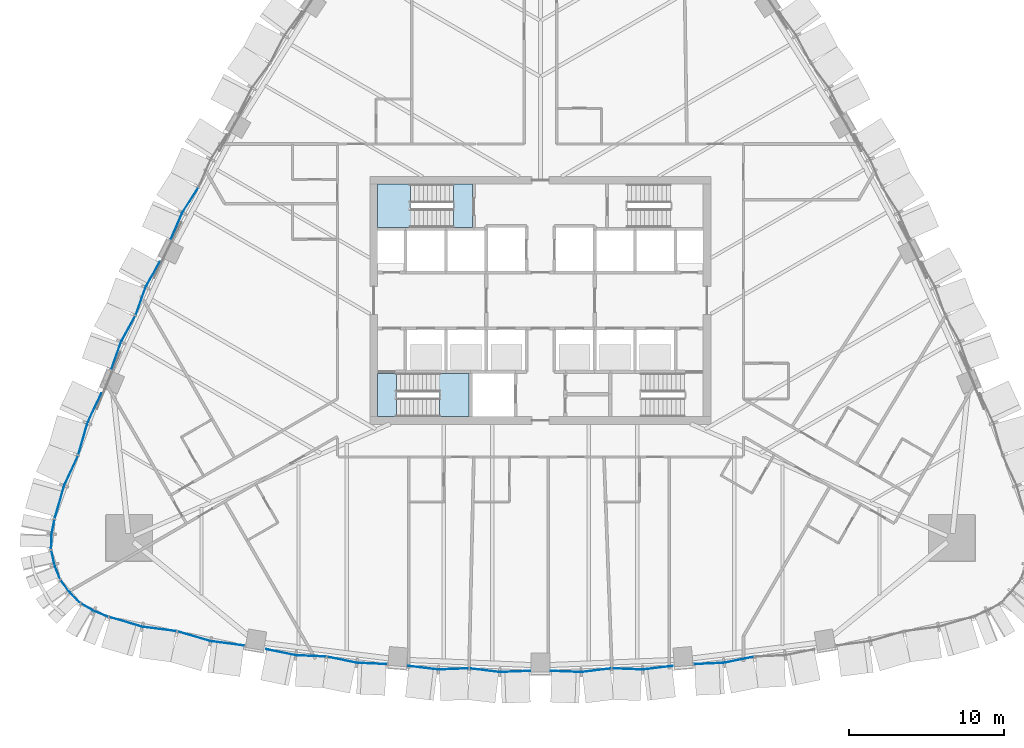
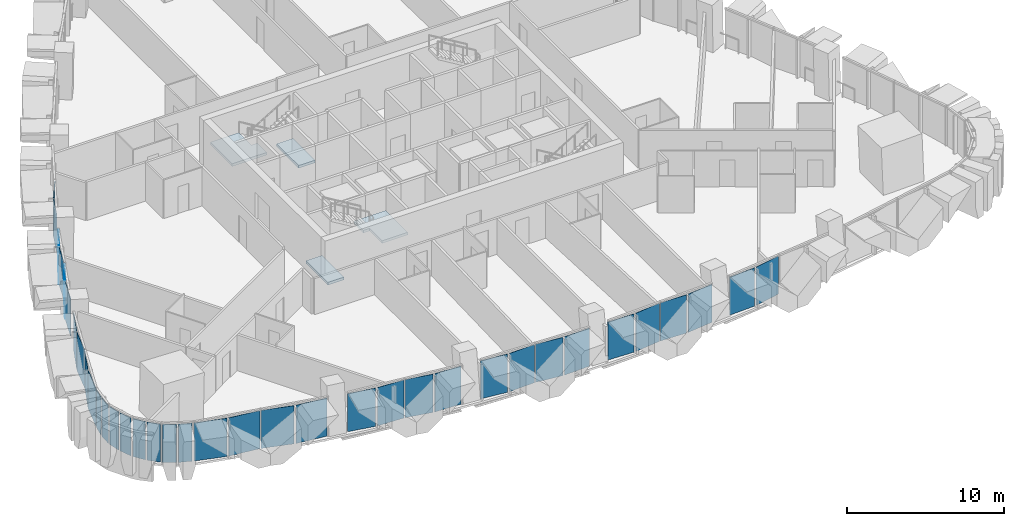
# One storey, part 9 of 23: 36 plates, 4 slabs, 14 elements without a shape of their own.
"""IFC4 building model written with IfcOpenShell, lengths in metres."""

from ifc_helpers import new_model, si_unit, direction, frame, origin, place, context, subcontext, project, spatial, polyline, outline, extrude, material, layer, layer_set, type_object, element, aggregate, save


model = new_model("IFC4")

# Units and contexts
model_context = context("Model", 3, precision=1e-05, world=origin(), true_north=direction((0.0, 1.0)))
body_context = subcontext(model_context, "Body", "Model", "MODEL_VIEW")
ifc_project = project(units=[si_unit("LENGTHUNIT", "METRE"), si_unit("AREAUNIT", "SQUARE_METRE"), si_unit("VOLUMEUNIT", "CUBIC_METRE"), si_unit("PLANEANGLEUNIT", "RADIAN"), si_unit("MASSUNIT", "GRAM", prefix="KILO")], contexts=[model_context])

# Site, building, storey
site_placement = place(None, origin())
site = spatial("IfcSite", under=ifc_project, at=site_placement, CompositionType="ELEMENT")
building_placement = place(site_placement, origin())
building = spatial("IfcBuilding", under=site, at=building_placement, Name="Sierra Prisma Convention Tower", CompositionType="ELEMENT")
storey_placement = place(building_placement, frame((0.0, 0.0, 70.199951171875)))
storey = spatial("IfcBuildingStorey", under=building, at=storey_placement, Name="L13", CompositionType="ELEMENT", Elevation=70.199951171875)

# Curtain wall, plates
ifc_material_1 = material(Name="Aluminium and glass curtain wall", Category="aluminium")
ifc_layer_1 = layer(ifc_material_1, 0.179931640625)
ifc_layer_set_1 = layer_set([ifc_layer_1], Name="CW-2 Faceted crystal curtain wall")
curtain_wall_type = type_object("IfcCurtainWallType", Name="CW-2 Faceted crystal curtain wall", PredefinedType="NOTDEFINED", material=ifc_layer_set_1)
curtain_wall_1_placement = place(storey_placement, origin())
curtain_wall_1 = element("IfcCurtainWall", 1, at=curtain_wall_1_placement, inside=storey, type_object=curtain_wall_type, Name="CW-2 S1 L13", PredefinedType="NOTDEFINED")
ifc_material_2 = material(Name="Tinted glass bronze-grey IGU", Category="glass")
ifc_layer_2 = layer(ifc_material_2, 0.028076171875)
ifc_layer_set_2 = layer_set([ifc_layer_2], Name="CW-2 crystal pane")
plate_type = type_object("IfcPlateType", Name="CW-2 crystal pane", PredefinedType="CURTAIN_PANEL", material=ifc_layer_set_2)
plate_1_placement = place(storey_placement, frame((-27.82275390625, -20.440185546875, 0.0), z_axis=(-0.282343851331, -0.959313269801, 0.0), x_axis=(0.959313269801, -0.282343851331, 0.0)))
plate_1 = element("IfcPlate", 2, at=plate_1_placement, type_object=plate_type, Name="CW-2 pane S1.1.1", PredefinedType="CURTAIN_PANEL", context=body_context, shape_type="SweptSolid", body=[
    extrude(outline(polyline([(0.0, 0.0), (2.1591372992583153, 0.0), (2.1591372992583153, 2.97998046875), (0.0, 2.97998046875), (0.0, 0.0)])), origin(), (0.0, 0.0, -1.0), 0.028076171875),
])
plate_2_placement = place(storey_placement, frame((-23.483642578125, -21.3544921875, 0.0), z_axis=(-0.12879291344, -0.991671510858, 0.0), x_axis=(-0.991671510858, 0.12879291344, 0.0)))
plate_2 = element("IfcPlate", 3, at=plate_2_placement, type_object=plate_type, Name="CW-2 pane S1.1.2", PredefinedType="CURTAIN_PANEL", context=body_context, shape_type="SweptSolid", body=[
    extrude(outline(polyline([(0.0, 0.0), (2.159095282869609, 0.0), (2.159095282869609, -2.97998046875), (0.0, -2.97998046875), (0.0, 0.0)])), origin(), (0.0, 0.0, -1.0), 0.028076171875),
])
plate_3_placement = place(storey_placement, frame((-23.4150390625, -21.368896484375, 0.0), z_axis=(-0.282374481095, -0.959304254356, 0.0), x_axis=(0.959304254356, -0.282374481095, 0.0)))
plate_3 = element("IfcPlate", 4, at=plate_3_placement, type_object=plate_type, Name="CW-2 pane S1.2.1", PredefinedType="CURTAIN_PANEL", context=body_context, shape_type="SweptSolid", body=[
    extrude(outline(polyline([(0.0, 0.0), (2.158903093017514, 0.0), (2.158903093017514, 2.97998046875), (0.0, 2.97998046875), (0.0, 0.0)])), origin(), (0.0, 0.0, -1.0), 0.028076171875),
])
plate_4_placement = place(storey_placement, frame((-19.075927734375, -22.283203125, 0.0), z_axis=(-0.12879291344, -0.991671510858, 0.0), x_axis=(-0.991671510858, 0.12879291344, 0.0)))
plate_4 = element("IfcPlate", 5, at=plate_4_placement, type_object=plate_type, Name="CW-2 pane S1.2.2", PredefinedType="CURTAIN_PANEL", context=body_context, shape_type="SweptSolid", body=[
    extrude(outline(polyline([(0.0, 0.0), (2.159095282869609, 0.0), (2.159095282869609, -2.97998046875), (0.0, -2.97998046875), (0.0, 0.0)])), origin(), (0.0, 0.0, -1.0), 0.028076171875),
])
aggregate(curtain_wall_1, [plate_1, plate_2, plate_3, plate_4])

curtain_wall_2_placement = place(storey_placement, origin())
curtain_wall_2 = element("IfcCurtainWall", 6, at=curtain_wall_2_placement, inside=storey, type_object=curtain_wall_type, Name="CW-2 S2 L13", PredefinedType="NOTDEFINED")
plate_5_placement = place(storey_placement, frame((-17.70849609375, -22.513671875, 0.0), z_axis=(-0.2004046758, -0.979713205952, 0.0), x_axis=(0.979713205952, -0.2004046758, 0.0)))
plate_5 = element("IfcPlate", 7, at=plate_5_placement, type_object=plate_type, Name="CW-2 pane S2.1.1", PredefinedType="CURTAIN_PANEL", context=body_context, shape_type="SweptSolid", body=[
    extrude(outline(polyline([(0.0, 0.0), (1.8931421122591445, 0.0), (1.8931421122591445, 2.97998046875), (0.0, 2.97998046875), (0.0, 0.0)])), origin(), (0.0, 0.0, -1.0), 0.028076171875),
])
plate_6_placement = place(storey_placement, frame((-13.833740234375, -22.993408203125, 0.0), z_axis=(-0.044617971648, -0.999004122417, 0.0), x_axis=(-0.999004122417, 0.044617971648, 0.0)))
plate_6 = element("IfcPlate", 8, at=plate_6_placement, type_object=plate_type, Name="CW-2 pane S2.1.2", PredefinedType="CURTAIN_PANEL", context=body_context, shape_type="SweptSolid", body=[
    extrude(outline(polyline([(0.0, 0.0), (1.8932428599985731, 0.0), (1.8932428599985731, -2.9799804687499996), (0.0, -2.9799804687499996), (0.0, 0.0)])), origin(), (0.0, 0.0, -1.0), 0.028076171875),
])
plate_7_placement = place(storey_placement, frame((-13.76416015625, -23.002197265625, 0.0), z_axis=(-0.2004046758, -0.979713205952, 0.0), x_axis=(0.979713205952, -0.2004046758, 0.0)))
plate_7 = element("IfcPlate", 9, at=plate_7_placement, type_object=plate_type, Name="CW-2 pane S2.2.1", PredefinedType="CURTAIN_PANEL", context=body_context, shape_type="SweptSolid", body=[
    extrude(outline(polyline([(0.0, 0.0), (1.8931421122591445, 0.0), (1.8931421122591445, 2.97998046875), (0.0, 2.97998046875), (0.0, 0.0)])), origin(), (0.0, 0.0, -1.0), 0.028076171875),
])
plate_8_placement = place(storey_placement, frame((-9.8896484375, -23.48193359375, 0.0), z_axis=(-0.044623720309, -0.999003865651, 0.0), x_axis=(-0.999003865651, 0.044623720309, 0.0)))
plate_8 = element("IfcPlate", 10, at=plate_8_placement, type_object=plate_type, Name="CW-2 pane S2.2.2", PredefinedType="CURTAIN_PANEL", context=body_context, shape_type="SweptSolid", body=[
    extrude(outline(polyline([(0.0, 0.0), (1.8929989625390904, 0.0), (1.8929989625390904, -2.9799804687500004), (0.0, -2.9799804687500004), (0.0, 0.0)])), origin(), (0.0, 0.0, -1.0), 0.028076171875),
])
aggregate(curtain_wall_2, [plate_5, plate_6, plate_7, plate_8])

curtain_wall_3_placement = place(storey_placement, origin())
curtain_wall_3 = element("IfcCurtainWall", 11, at=curtain_wall_3_placement, inside=storey, type_object=curtain_wall_type, Name="CW-2 S3 L13", PredefinedType="NOTDEFINED")
plate_9_placement = place(storey_placement, frame((-8.537353515625, -23.593994140625, 0.0), z_axis=(-0.119348728609, -0.992852396371, 0.0), x_axis=(0.992852396371, -0.119348728609, 0.0)))
plate_9 = element("IfcPlate", 12, at=plate_9_placement, type_object=plate_type, Name="CW-2 pane S3.1.1", PredefinedType="CURTAIN_PANEL", context=body_context, shape_type="SweptSolid", body=[
    extrude(outline(polyline([(0.0, 0.0), (1.8921867099700465, 0.0), (1.8921867099700465, 2.97998046875), (0.0, 2.97998046875), (0.0, 0.0)])), origin(), (0.0, 0.0, -1.0), 0.028076171875),
])
plate_10_placement = place(storey_placement, frame((-4.638427734375, -23.754150390625, 0.0), z_axis=(0.037417291299, -0.999299727965, 0.0), x_axis=(-0.999299727965, -0.037417291299, 0.0)))
plate_10 = element("IfcPlate", 13, at=plate_10_placement, type_object=plate_type, Name="CW-2 pane S3.1.2", PredefinedType="CURTAIN_PANEL", context=body_context, shape_type="SweptSolid", body=[
    extrude(outline(polyline([(0.0, 0.0), (1.8921941913010771, 0.0), (1.8921941913010771, -2.97998046875), (0.0, -2.97998046875), (0.0, 0.0)])), origin(), (0.0, 0.0, -1.0), 0.028076171875),
])
plate_11_placement = place(storey_placement, frame((-4.568359375, -23.757080078125, 0.0), z_axis=(-0.119221537876, -0.992867677441, 0.0), x_axis=(0.992867677441, -0.119221537876, 0.0)))
plate_11 = element("IfcPlate", 14, at=plate_11_placement, type_object=plate_type, Name="CW-2 pane S3.2.1", PredefinedType="CURTAIN_PANEL", context=body_context, shape_type="SweptSolid", body=[
    extrude(outline(polyline([(0.0, 0.0), (1.8921575876229442, 0.0), (1.8921575876229442, 2.9799804687500004), (0.0, 2.9799804687500004), (0.0, 0.0)])), origin(), (0.0, 0.0, -1.0), 0.028076171875),
])
plate_12_placement = place(storey_placement, frame((-0.66943359375, -23.9169921875, 0.0), z_axis=(0.037546134865, -0.999294895292, 0.0), x_axis=(-0.999294895292, -0.037546134865, 0.0)))
plate_12 = element("IfcPlate", 15, at=plate_12_placement, type_object=plate_type, Name="CW-2 pane S3.2.2", PredefinedType="CURTAIN_PANEL", context=body_context, shape_type="SweptSolid", body=[
    extrude(outline(polyline([(0.0, 0.0), (1.892203342109973, 0.0), (1.892203342109973, -2.97998046875), (0.0, -2.97998046875), (0.0, 0.0)])), origin(), (0.0, 0.0, -1.0), 0.028076171875),
])
aggregate(curtain_wall_3, [plate_9, plate_10, plate_11, plate_12])

curtain_wall_4_placement = place(storey_placement, origin())
curtain_wall_4 = element("IfcCurtainWall", 16, at=curtain_wall_4_placement, inside=storey, type_object=curtain_wall_type, Name="CW-2 S4 L13", PredefinedType="NOTDEFINED")
plate_13_placement = place(storey_placement, frame((0.66943359375, -23.9169921875, 0.0), z_axis=(-0.037546134865, -0.999294895292, 0.0), x_axis=(0.999294895292, -0.037546134865, 0.0)))
plate_13 = element("IfcPlate", 17, at=plate_13_placement, type_object=plate_type, Name="CW-2 pane S4.1.1", PredefinedType="CURTAIN_PANEL", context=body_context, shape_type="SweptSolid", body=[
    extrude(outline(polyline([(0.0, 0.0), (1.892203342109973, 0.0), (1.892203342109973, 2.97998046875), (0.0, 2.97998046875), (0.0, 0.0)])), origin(), (0.0, 0.0, -1.0), 0.028076171875),
])
plate_14_placement = place(storey_placement, frame((4.568359375, -23.757080078125, 0.0), z_axis=(0.119221537876, -0.992867677441, 0.0), x_axis=(-0.992867677441, -0.119221537876, 0.0)))
plate_14 = element("IfcPlate", 18, at=plate_14_placement, type_object=plate_type, Name="CW-2 pane S4.1.2", PredefinedType="CURTAIN_PANEL", context=body_context, shape_type="SweptSolid", body=[
    extrude(outline(polyline([(0.0, 0.0), (1.8921575876229442, 0.0), (1.8921575876229442, -2.9799804687500004), (0.0, -2.9799804687500004), (0.0, 0.0)])), origin(), (0.0, 0.0, -1.0), 0.028076171875),
])
plate_15_placement = place(storey_placement, frame((4.638427734375, -23.754150390625, 0.0), z_axis=(-0.037417291299, -0.999299727965, 0.0), x_axis=(0.999299727965, -0.037417291299, 0.0)))
plate_15 = element("IfcPlate", 19, at=plate_15_placement, type_object=plate_type, Name="CW-2 pane S4.2.1", PredefinedType="CURTAIN_PANEL", context=body_context, shape_type="SweptSolid", body=[
    extrude(outline(polyline([(0.0, 0.0), (1.8921941913010771, 0.0), (1.8921941913010771, 2.97998046875), (0.0, 2.97998046875), (0.0, 0.0)])), origin(), (0.0, 0.0, -1.0), 0.028076171875),
])
plate_16_placement = place(storey_placement, frame((8.537353515625, -23.593994140625, 0.0), z_axis=(0.119348728609, -0.992852396371, 0.0), x_axis=(-0.992852396371, -0.119348728609, 0.0)))
plate_16 = element("IfcPlate", 20, at=plate_16_placement, type_object=plate_type, Name="CW-2 pane S4.2.2", PredefinedType="CURTAIN_PANEL", context=body_context, shape_type="SweptSolid", body=[
    extrude(outline(polyline([(0.0, 0.0), (1.8921867099700465, 0.0), (1.8921867099700465, -2.97998046875), (0.0, -2.97998046875), (0.0, 0.0)])), origin(), (0.0, 0.0, -1.0), 0.028076171875),
])
aggregate(curtain_wall_4, [plate_13, plate_14, plate_15, plate_16])

curtain_wall_5_placement = place(storey_placement, origin())
curtain_wall_5 = element("IfcCurtainWall", 21, at=curtain_wall_5_placement, inside=storey, type_object=curtain_wall_type, Name="CW-2 S5 L13", PredefinedType="NOTDEFINED")
plate_17_placement = place(storey_placement, frame((9.8896484375, -23.48193359375, 0.0), z_axis=(0.044623720309, -0.999003865651, 0.0), x_axis=(0.999003865651, 0.044623720309, 0.0)))
plate_17 = element("IfcPlate", 22, at=plate_17_placement, type_object=plate_type, Name="CW-2 pane S5.1.1", PredefinedType="CURTAIN_PANEL", context=body_context, shape_type="SweptSolid", body=[
    extrude(outline(polyline([(0.0, 0.0), (1.8929989625390904, 0.0), (1.8929989625390904, 2.9799804687500004), (0.0, 2.9799804687500004), (0.0, 0.0)])), origin(), (0.0, 0.0, -1.0), 0.028076171875),
])
plate_18_placement = place(storey_placement, frame((13.76416015625, -23.002197265625, 0.0), z_axis=(0.2004046758, -0.979713205952, 0.0), x_axis=(-0.979713205952, -0.2004046758, 0.0)))
plate_18 = element("IfcPlate", 23, at=plate_18_placement, type_object=plate_type, Name="CW-2 pane S5.1.2", PredefinedType="CURTAIN_PANEL", context=body_context, shape_type="SweptSolid", body=[
    extrude(outline(polyline([(0.0, 0.0), (1.8931421122591445, 0.0), (1.8931421122591445, -2.97998046875), (0.0, -2.97998046875), (0.0, 0.0)])), origin(), (0.0, 0.0, -1.0), 0.028076171875),
])
aggregate(curtain_wall_5, [plate_17, plate_18])

curtain_wall_6_placement = place(storey_placement, origin())
curtain_wall_6 = element("IfcCurtainWall", 24, at=curtain_wall_6_placement, inside=storey, type_object=curtain_wall_type, Name="CW-2 NW4 L13", PredefinedType="NOTDEFINED")
plate_19_placement = place(storey_placement, frame((-22.08447265625, 7.2939453125, 0.0), z_axis=(-0.843080964826, 0.537786655421, 0.0), x_axis=(-0.537786655421, -0.843080964826, 0.0)))
plate_19 = element("IfcPlate", 25, at=plate_19_placement, type_object=plate_type, Name="CW-2 pane NW4.2.1", PredefinedType="CURTAIN_PANEL", context=body_context, shape_type="SweptSolid", body=[
    extrude(outline(polyline([(0.0, 0.0), (1.8544797329436724, 0.0), (1.8544797329436724, 2.9799804687500004), (0.0, 2.9799804687500004), (0.0, 0.0)])), origin(), (0.0, 0.0, -1.0), 0.028076171875),
])
plate_20_placement = place(storey_placement, frame((-23.8828125, 3.915771484375, 0.0), z_axis=(-0.916868998541, 0.399188225671, 0.0), x_axis=(0.399188225671, 0.916868998541, 0.0)))
plate_20 = element("IfcPlate", 26, at=plate_20_placement, type_object=plate_type, Name="CW-2 pane NW4.2.2", PredefinedType="CURTAIN_PANEL", context=body_context, shape_type="SweptSolid", body=[
    extrude(outline(polyline([(0.0, 0.0), (1.8543492202329674, 0.0), (1.8543492202329674, -2.97998046875), (0.0, -2.97998046875), (0.0, 0.0)])), origin(), (0.0, 0.0, -1.0), 0.028076171875),
])
aggregate(curtain_wall_6, [plate_19, plate_20])

curtain_wall_7_placement = place(storey_placement, origin())
curtain_wall_7 = element("IfcCurtainWall", 27, at=curtain_wall_7_placement, inside=storey, type_object=curtain_wall_type, Name="CW-2 NW5 L13", PredefinedType="NOTDEFINED")
plate_21_placement = place(storey_placement, frame((-24.57958984375, 2.511962890625, 0.0), z_axis=(-0.877013416362, 0.480465885908, 0.0), x_axis=(-0.480465885908, -0.877013416362, 0.0)))
plate_21 = element("IfcPlate", 28, at=plate_21_placement, type_object=plate_type, Name="CW-2 pane NW5.1.1", PredefinedType="CURTAIN_PANEL", context=body_context, shape_type="SweptSolid", body=[
    extrude(outline(polyline([(0.0, 0.0), (1.8328361288565467, 0.0), (1.8328361288565467, 2.97998046875), (0.0, 2.97998046875), (0.0, 0.0)])), origin(), (0.0, 0.0, -1.0), 0.028076171875),
])
plate_22_placement = place(storey_placement, frame((-26.1318359375, -0.93896484375, 0.0), z_axis=(-0.941358563965, 0.33740784527, 0.0), x_axis=(0.33740784527, 0.941358563965, 0.0)))
plate_22 = element("IfcPlate", 29, at=plate_22_placement, type_object=plate_type, Name="CW-2 pane NW5.1.2", PredefinedType="CURTAIN_PANEL", context=body_context, shape_type="SweptSolid", body=[
    extrude(outline(polyline([(0.0, 0.0), (1.8328210555687496, 0.0), (1.8328210555687496, -2.97998046875), (0.0, -2.97998046875), (0.0, 0.0)])), origin(), (0.0, 0.0, -1.0), 0.028076171875),
])
plate_23_placement = place(storey_placement, frame((-26.160400390625, -1.002685546875, 0.0), z_axis=(-0.877013416362, 0.480465885908, 0.0), x_axis=(-0.480465885908, -0.877013416362, 0.0)))
plate_23 = element("IfcPlate", 30, at=plate_23_placement, type_object=plate_type, Name="CW-2 pane NW5.2.1", PredefinedType="CURTAIN_PANEL", context=body_context, shape_type="SweptSolid", body=[
    extrude(outline(polyline([(0.0, 0.0), (1.8328361288565467, 0.0), (1.8328361288565467, 2.97998046875), (0.0, 2.97998046875), (0.0, 0.0)])), origin(), (0.0, 0.0, -1.0), 0.028076171875),
])
plate_24_placement = place(storey_placement, frame((-27.712646484375, -4.45361328125, 0.0), z_axis=(-0.941358563965, 0.33740784527, 0.0), x_axis=(0.33740784527, 0.941358563965, 0.0)))
plate_24 = element("IfcPlate", 31, at=plate_24_placement, type_object=plate_type, Name="CW-2 pane NW5.2.2", PredefinedType="CURTAIN_PANEL", context=body_context, shape_type="SweptSolid", body=[
    extrude(outline(polyline([(0.0, 0.0), (1.8328210555687496, 0.0), (1.8328210555687496, -2.97998046875), (0.0, -2.97998046875), (0.0, 0.0)])), origin(), (0.0, 0.0, -1.0), 0.028076171875),
])
aggregate(curtain_wall_7, [plate_21, plate_22, plate_23, plate_24])

curtain_wall_8_placement = place(storey_placement, origin())
curtain_wall_8 = element("IfcCurtainWall", 32, at=curtain_wall_8_placement, inside=storey, type_object=curtain_wall_type, Name="CW-2 NW6 L13", PredefinedType="NOTDEFINED")
plate_25_placement = place(storey_placement, frame((-28.349853515625, -5.979248046875, 0.0), z_axis=(-0.907004122669, 0.421121741853, 0.0), x_axis=(-0.421121741853, -0.907004122669, 0.0)))
plate_25 = element("IfcPlate", 33, at=plate_25_placement, type_object=plate_type, Name="CW-2 pane NW6.1.1", PredefinedType="CURTAIN_PANEL", context=body_context, shape_type="SweptSolid", body=[
    extrude(outline(polyline([(0.0, 0.0), (2.0621310106296122, 0.0), (2.0621310106296122, 2.97998046875), (0.0, 2.97998046875), (0.0, 0.0)])), origin(), (0.0, 0.0, -1.0), 0.028076171875),
])
plate_26_placement = place(storey_placement, frame((-29.82861328125, -9.9541015625, 0.0), z_axis=(-0.961698012905, 0.274111167185, 0.0), x_axis=(0.274111167185, 0.961698012905, 0.0)))
plate_26 = element("IfcPlate", 34, at=plate_26_placement, type_object=plate_type, Name="CW-2 pane NW6.1.2", PredefinedType="CURTAIN_PANEL", context=body_context, shape_type="SweptSolid", body=[
    extrude(outline(polyline([(0.0, 0.0), (2.061884426963789, 0.0), (2.061884426963789, -2.97998046875), (0.0, -2.97998046875), (0.0, 0.0)])), origin(), (0.0, 0.0, -1.0), 0.028076171875),
])
plate_27_placement = place(storey_placement, frame((-29.85302734375, -10.019775390625, 0.0), z_axis=(-0.907004122669, 0.421121741853, 0.0), x_axis=(-0.421121741853, -0.907004122669, 0.0)))
plate_27 = element("IfcPlate", 35, at=plate_27_placement, type_object=plate_type, Name="CW-2 pane NW6.2.1", PredefinedType="CURTAIN_PANEL", context=body_context, shape_type="SweptSolid", body=[
    extrude(outline(polyline([(0.0, 0.0), (2.0621310106296122, 0.0), (2.0621310106296122, 2.97998046875), (0.0, 2.97998046875), (0.0, 0.0)])), origin(), (0.0, 0.0, -1.0), 0.028076171875),
])
plate_28_placement = place(storey_placement, frame((-31.33154296875, -13.99462890625, 0.0), z_axis=(-0.96172922109, 0.274001652007, 0.0), x_axis=(0.274001652007, 0.96172922109, 0.0)))
plate_28 = element("IfcPlate", 36, at=plate_28_placement, type_object=plate_type, Name="CW-2 pane NW6.2.2", PredefinedType="CURTAIN_PANEL", context=body_context, shape_type="SweptSolid", body=[
    extrude(outline(polyline([(0.0, 0.0), (2.0618175186604484, 0.0), (2.0618175186604484, -2.97998046875), (0.0, -2.97998046875), (0.0, 0.0)])), origin(), (0.0, 0.0, -1.0), 0.028076171875),
])
aggregate(curtain_wall_8, [plate_25, plate_26, plate_27, plate_28])

curtain_wall_9_placement = place(storey_placement, origin())
curtain_wall_9 = element("IfcCurtainWall", 37, at=curtain_wall_9_placement, inside=storey, type_object=curtain_wall_type, Name="CW-2 SW1 L13", PredefinedType="NOTDEFINED")
plate_29_placement = place(storey_placement, frame((-31.3642578125, -14.1298828125, 0.0), z_axis=(-0.980836754729, 0.194831364447, 0.0), x_axis=(-0.194831364447, -0.980836754729, 0.0)))
plate_29 = element("IfcPlate", 38, at=plate_29_placement, type_object=plate_type, Name="CW-2 pane SW1.1.1", PredefinedType="CURTAIN_PANEL", context=body_context, shape_type="SweptSolid", body=[
    extrude(outline(polyline([(0.0, 0.0), (0.8771608102486869, 0.0), (0.8771608102486869, 2.97998046875), (0.0, 2.97998046875), (0.0, 0.0)])), origin(), (0.0, 0.0, -1.0), 0.028076171875),
])
plate_30_placement = place(storey_placement, frame((-31.58447265625, -15.995361328125, 0.0), z_axis=(-0.999240474826, 0.038967595119, 0.0), x_axis=(0.038967595119, 0.999240474826, 0.0)))
plate_30 = element("IfcPlate", 39, at=plate_30_placement, type_object=plate_type, Name="CW-2 pane SW1.1.2", PredefinedType="CURTAIN_PANEL", context=body_context, shape_type="SweptSolid", body=[
    extrude(outline(polyline([(0.0, 0.0), (0.8771310468609065, 0.0), (0.8771310468609065, -2.97998046875), (0.0, -2.97998046875), (0.0, 0.0)])), origin(), (0.0, 0.0, -1.0), 0.028076171875),
])
aggregate(curtain_wall_9, [plate_29, plate_30])

curtain_wall_10_placement = place(storey_placement, origin())
curtain_wall_10 = element("IfcCurtainWall", 40, at=curtain_wall_10_placement, inside=storey, type_object=curtain_wall_type, Name="CW-2 SW2 L13", PredefinedType="NOTDEFINED")
plate_31_placement = place(storey_placement, frame((-31.572509765625, -16.132080078125, 0.0), z_axis=(-0.977063170927, -0.212949665458, 0.0), x_axis=(0.212949665458, -0.977063170927, 0.0)))
plate_31 = element("IfcPlate", 41, at=plate_31_placement, type_object=plate_type, Name="CW-2 pane SW2.1.1", PredefinedType="CURTAIN_PANEL", context=body_context, shape_type="SweptSolid", body=[
    extrude(outline(polyline([(0.0, 0.0), (0.877050347663102, 0.0), (0.877050347663102, 2.97998046875), (0.0, 2.97998046875), (0.0, 0.0)])), origin(), (0.0, 0.0, -1.0), 0.028076171875),
])
plate_32_placement = place(storey_placement, frame((-31.02978515625, -17.930419921875, 0.0), z_axis=(-0.931816511999, -0.362929728688, 0.0), x_axis=(-0.362929728688, 0.931816511999, 0.0)))
plate_32 = element("IfcPlate", 42, at=plate_32_placement, type_object=plate_type, Name="CW-2 pane SW2.1.2", PredefinedType="CURTAIN_PANEL", context=body_context, shape_type="SweptSolid", body=[
    extrude(outline(polyline([(0.0, 0.0), (0.877192882905921, 0.0), (0.877192882905921, -2.9799804687500004), (0.0, -2.9799804687500004), (0.0, 0.0)])), origin(), (0.0, 0.0, -1.0), 0.028076171875),
])
aggregate(curtain_wall_10, [plate_31, plate_32])

curtain_wall_11_placement = place(storey_placement, origin())
curtain_wall_11 = element("IfcCurtainWall", 43, at=curtain_wall_11_placement, inside=storey, type_object=curtain_wall_type, Name="CW-2 SW3 L13", PredefinedType="NOTDEFINED")
plate_33_placement = place(storey_placement, frame((-30.964111328125, -18.05078125, 0.0), z_axis=(-0.810789305931, -0.585338108607, 0.0), x_axis=(0.585338108607, -0.810789305931, 0.0)))
plate_33 = element("IfcPlate", 44, at=plate_33_placement, type_object=plate_type, Name="CW-2 pane SW3.1.1", PredefinedType="CURTAIN_PANEL", context=body_context, shape_type="SweptSolid", body=[
    extrude(outline(polyline([(0.0, 0.0), (0.877147287738788, 0.0), (0.877147287738788, 2.97998046875), (0.0, 2.97998046875), (0.0, 0.0)])), origin(), (0.0, 0.0, -1.0), 0.028076171875),
])
plate_34_placement = place(storey_placement, frame((-29.74853515625, -19.48291015625, 0.0), z_axis=(-0.709191193572, -0.705016206168, 0.0), x_axis=(-0.705016206168, 0.709191193572, 0.0)))
plate_34 = element("IfcPlate", 45, at=plate_34_placement, type_object=plate_type, Name="CW-2 pane SW3.1.2", PredefinedType="CURTAIN_PANEL", context=body_context, shape_type="SweptSolid", body=[
    extrude(outline(polyline([(0.0, 0.0), (0.8771545926381159, 0.0), (0.8771545926381159, -2.97998046875), (0.0, -2.97998046875), (0.0, 0.0)])), origin(), (0.0, 0.0, -1.0), 0.028076171875),
])
aggregate(curtain_wall_11, [plate_33, plate_34])

curtain_wall_12_placement = place(storey_placement, origin())
curtain_wall_12 = element("IfcCurtainWall", 46, at=curtain_wall_12_placement, inside=storey, type_object=curtain_wall_type, Name="CW-2 SW4 L13", PredefinedType="NOTDEFINED")
plate_35_placement = place(storey_placement, frame((-29.640380859375, -19.567138671875, 0.0), z_axis=(-0.509863419375, -0.860255365332, 0.0), x_axis=(0.860255365332, -0.509863419375, 0.0)))
plate_35 = element("IfcPlate", 47, at=plate_35_placement, type_object=plate_type, Name="CW-2 pane SW4.1.1", PredefinedType="CURTAIN_PANEL", context=body_context, shape_type="SweptSolid", body=[
    extrude(outline(polyline([(0.0, 0.0), (0.8772263472992046, 0.0), (0.8772263472992046, 2.97998046875), (0.0, 2.97998046875), (0.0, 0.0)])), origin(), (0.0, 0.0, -1.0), 0.028076171875),
])
plate_36_placement = place(storey_placement, frame((-27.9541015625, -20.39501953125, 0.0), z_axis=(-0.369085985289, -0.92939525255, 0.0), x_axis=(-0.92939525255, 0.369085985289, 0.0)))
plate_36 = element("IfcPlate", 48, at=plate_36_placement, type_object=plate_type, Name="CW-2 pane SW4.1.2", PredefinedType="CURTAIN_PANEL", context=body_context, shape_type="SweptSolid", body=[
    extrude(outline(polyline([(0.0, 0.0), (0.8771139562400017, 0.0), (0.8771139562400017, -2.9799804687500004), (0.0, -2.9799804687500004), (0.0, 0.0)])), origin(), (0.0, 0.0, -1.0), 0.028076171875),
])
aggregate(curtain_wall_12, [plate_35, plate_36])

# Stair, slab
ifc_material_3 = material(Name="Concrete C30/37", Category="concrete")
stair_type = type_object("IfcStairType", Name="Stair dog-leg 1200 RC", PredefinedType="HALF_TURN_STAIR", material=ifc_material_3)
stair_1_placement = place(storey_placement, origin())
stair_1 = element("IfcStair", 49, at=stair_1_placement, inside=storey, type_object=stair_type, Name="L13 S1", PredefinedType="HALF_TURN_STAIR")
ifc_material_4 = material(Name="Concrete C35/45", Category="concrete")
ifc_layer_3 = layer(ifc_material_4, 0.199951171875)
ifc_layer_set_3 = layer_set([ifc_layer_3], Name="Stair landing slab")
slab_type = type_object("IfcSlabType", Name="Stair landing slab", PredefinedType="LANDING", material=ifc_layer_set_3)
slab_1_placement = place(storey_placement, frame((0.0, 0.0, 1.650146484375)))
slab_1 = element("IfcSlab", 50, at=slab_1_placement, type_object=slab_type, Name="S1 landing 1", PredefinedType="LANDING", context=body_context, shape_type="SweptSolid", body=[
    extrude(outline(polyline([(-4.60009765625, -4.699951171875), (-4.60009765625, -7.5), (-6.501953125, -7.5), (-6.501953125, -5.89990234375), (-6.949951171875, -5.89990234375), (-6.949951171875, -4.699951171875), (-4.60009765625, -4.699951171875)])), origin(), (0.0, 0.0, 1.0), 0.199951171875),
])
aggregate(stair_1, [slab_1])

# Slab
slab_2_placement = place(storey_placement, frame((0.0, 0.0, -0.199951171875)))
element("IfcSlab", 51, at=slab_2_placement, inside=storey, type_object=slab_type, Name="S1 floor landing L13", PredefinedType="LANDING", context=body_context, shape_type="SweptSolid", body=[
    extrude(outline(polyline([(-10.5, -7.5), (-9.298095703125, -7.5), (-9.298095703125, -4.699951171875), (-10.5, -4.699951171875), (-10.5, -7.5)])), origin(), (0.0, 0.0, 1.0), 0.199951171875),
])

# Stair, slab
stair_2_placement = place(storey_placement, origin())
stair_2 = element("IfcStair", 52, at=stair_2_placement, inside=storey, type_object=stair_type, Name="L13 S3", PredefinedType="HALF_TURN_STAIR")
slab_3_placement = place(storey_placement, frame((0.0, 0.0, 1.650146484375)))
slab_3 = element("IfcSlab", 53, at=slab_3_placement, type_object=slab_type, Name="S3 landing 1", PredefinedType="LANDING", context=body_context, shape_type="SweptSolid", body=[
    extrude(outline(polyline([(-7.949951171875, 5.89990234375), (-7.949951171875, 4.699951171875), (-10.5, 4.699951171875), (-10.5, 7.5), (-8.39794921875, 7.5), (-8.39794921875, 5.89990234375), (-7.949951171875, 5.89990234375)])), origin(), (0.0, 0.0, 1.0), 0.199951171875),
])
aggregate(stair_2, [slab_3])

# Slab
slab_4_placement = place(storey_placement, frame((0.0, 0.0, -0.199951171875)))
element("IfcSlab", 54, at=slab_4_placement, inside=storey, type_object=slab_type, Name="S3 floor landing L13", PredefinedType="LANDING", context=body_context, shape_type="SweptSolid", body=[
    extrude(outline(polyline([(-4.39990234375, 7.5), (-5.60205078125, 7.5), (-5.60205078125, 4.699951171875), (-4.39990234375, 4.699951171875), (-4.39990234375, 7.5)])), origin(), (0.0, 0.0, 1.0), 0.199951171875),
])

save(model, "model.ifc")
